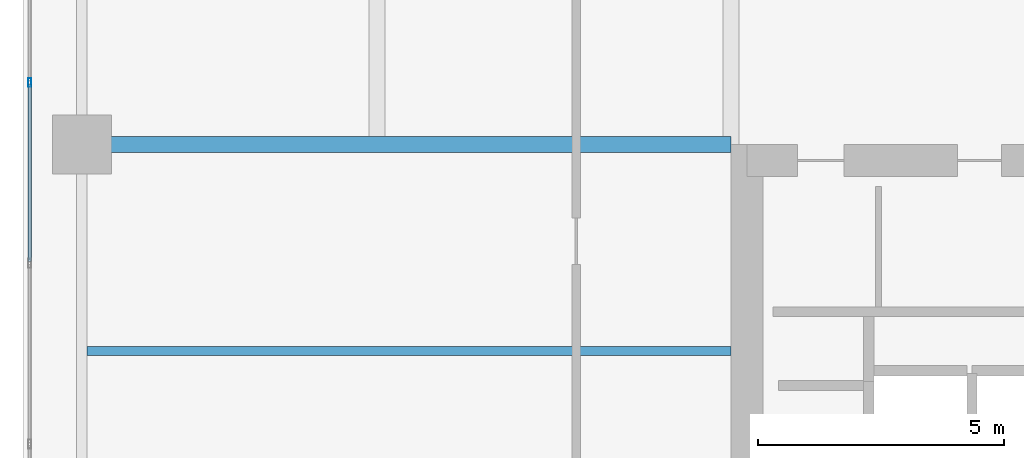
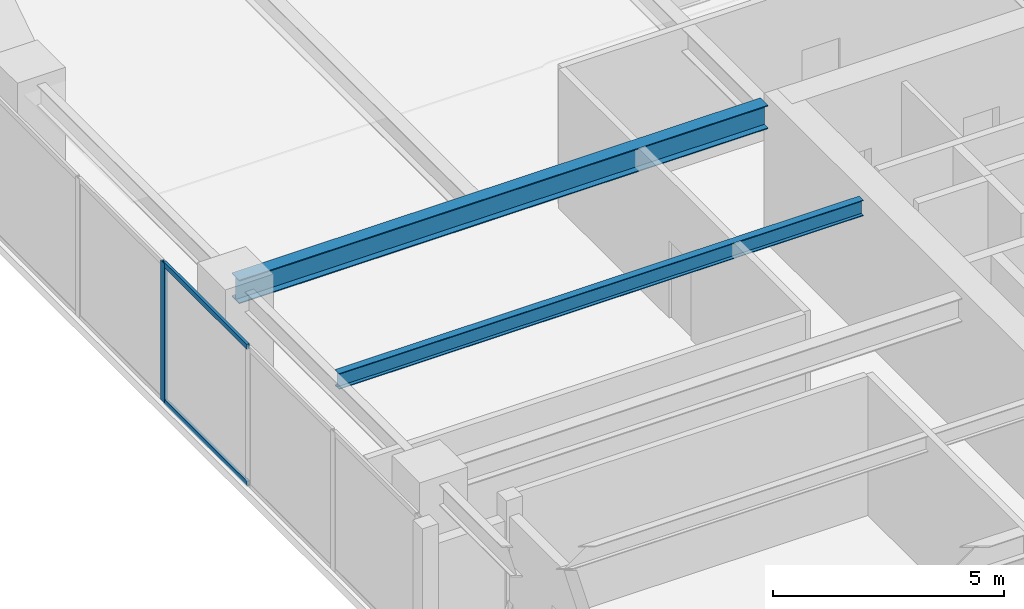
# One storey, part 6 of 30: 3 members, 2 beams, 1 element without a shape of its own.
"""IFC4 building model written with IfcOpenShell, lengths in metres."""

from ifc_helpers import new_model, si_unit, direction, frame, origin, origin_2d, place, context, subcontext, project, spatial, hollow_rectangle, i_section, extrude, material, layer, layer_set, material_profile, profile_set, type_object, element, aggregate, save


model = new_model("IFC4")

# Units and contexts
model_context = context("Model", 3, precision=1e-05, world=origin(), true_north=direction((0.0, 1.0)))
body_context = subcontext(model_context, "Body", "Model", "MODEL_VIEW")
ifc_project = project(units=[si_unit("LENGTHUNIT", "METRE"), si_unit("AREAUNIT", "SQUARE_METRE"), si_unit("VOLUMEUNIT", "CUBIC_METRE"), si_unit("PLANEANGLEUNIT", "RADIAN"), si_unit("MASSUNIT", "GRAM", prefix="KILO")], contexts=[model_context])

# Site, building, storey
site_placement = place(None, origin())
site = spatial("IfcSite", under=ifc_project, at=site_placement, CompositionType="ELEMENT")
building_placement = place(site_placement, origin())
building = spatial("IfcBuilding", under=site, at=building_placement, Name="Kiyonajd Concourse Tower", CompositionType="ELEMENT")
storey_placement = place(building_placement, frame((0.0, 0.0, 194.10009765625)))
storey = spatial("IfcBuildingStorey", under=building, at=storey_placement, Name="L49", CompositionType="ELEMENT", Elevation=194.10009765625)

# Beams
ifc_material_1 = material(Name="Steel ASTM A992 Grade 50", Category="steel")
ifc_material_profile_1 = material_profile(ifc_material_1, i_section(OverallWidth=0.180908203125, OverallDepth=0.4169921875, WebThickness=0.010986328125, FlangeThickness=0.018310546875, at=origin_2d()), Name="W410X85")
ifc_profile_set_1 = profile_set([ifc_material_profile_1], Name="Steel ASTM A992 Grade 50")
beam_type_1 = type_object("IfcBeamType", Name="BM-JST-410", PredefinedType="JOIST", material=ifc_profile_set_1)
beam_1_placement = place(storey_placement, frame((19.306884765625, 40.199951171875, 3.471435546875), z_axis=(1.0, 0.0, 0.0), x_axis=(0.0, 1.0, 0.0)))
element("IfcBeam", 1, at=beam_1_placement, inside=storey, type_object=beam_type_1, Name="L49 West Secondary Floor Joist", PredefinedType="JOIST", context=body_context, shape_type="SweptSolid", body=[
    extrude(i_section(OverallWidth=0.180908203125, OverallDepth=0.4169921875, WebThickness=0.010986328125, FlangeThickness=0.018310546875, at=origin_2d()), origin(), (0.0, 0.0, 1.0), 13.093017578125),
])
ifc_material_profile_2 = material_profile(ifc_material_1, i_section(OverallWidth=0.326904296875, OverallDepth=0.6220703125, WebThickness=0.015380859375, FlangeThickness=0.0244140625, at=origin_2d()), Name="W610X195")
ifc_profile_set_2 = profile_set([ifc_material_profile_2], Name="Steel ASTM A992 Grade 50")
beam_type_2 = type_object("IfcBeamType", Name="BM-TWR-610A", PredefinedType="BEAM", material=ifc_profile_set_2)
beam_2_placement = place(storey_placement, frame((19.199951171875, 44.39990234375, 3.368896484375), z_axis=(1.0, 0.0, 0.0), x_axis=(0.0, 1.0, 0.0)))
element("IfcBeam", 2, at=beam_2_placement, inside=storey, type_object=beam_type_2, Name="L49 West Lease Girder", PredefinedType="BEAM", context=body_context, shape_type="SweptSolid", body=[
    extrude(i_section(OverallWidth=0.326904296875, OverallDepth=0.6220703125, WebThickness=0.015380859375, FlangeThickness=0.0244140625, at=origin_2d()), origin(), (0.0, 0.0, 1.0), 13.199951171875),
])

# Curtain wall, members
ifc_material_2 = material(Name="Thermally Broken Anodised Aluminium", Category="aluminium")
ifc_layer = layer(ifc_material_2, 0.179931640625)
ifc_layer_set = layer_set([ifc_layer], Name="Thermally Broken Anodised Aluminium")
curtain_wall_type = type_object("IfcCurtainWallType", Name="CW-SYS-03", PredefinedType="NOTDEFINED", material=ifc_layer_set)
curtain_wall_placement = place(storey_placement, origin())
curtain_wall = element("IfcCurtainWall", 3, at=curtain_wall_placement, inside=storey, type_object=curtain_wall_type, Name="L49 Unitised Curtain Wall CW3", PredefinedType="NOTDEFINED")
ifc_material_profile_3 = material_profile(ifc_material_2, hollow_rectangle(XDim=0.06494140625, YDim=0.179931640625, WallThickness=0.00390625, at=origin_2d()), Name="MULL-65x180")
ifc_profile_set_3 = profile_set([ifc_material_profile_3], Name="Thermally Broken Anodised Aluminium")
member_type_1 = type_object("IfcMemberType", Name="MB-CW-MULL1", PredefinedType="MULLION", material=ifc_profile_set_3)
member_1_placement = place(storey_placement, frame((18.139892578125, 45.660888671875, 0.0), z_axis=(0.0, 0.0, 1.0), x_axis=(-1.0, 0.0, 0.0)))
member_1 = element("IfcMember", 4, at=member_1_placement, type_object=member_type_1, Name="CW3 mullion 4", PredefinedType="MULLION", context=body_context, shape_type="SweptSolid", body=[
    extrude(hollow_rectangle(XDim=0.06494140625, YDim=0.179931640625, WallThickness=0.00390625, at=origin_2d()), origin(), (0.0, 0.0, 1.0), 3.679931640625),
])
ifc_material_profile_4 = material_profile(ifc_material_2, hollow_rectangle(XDim=0.06494140625, YDim=0.139892578125, WallThickness=0.00390625, at=origin_2d()), Name="TRAN-65x140")
ifc_profile_set_4 = profile_set([ifc_material_profile_4], Name="Thermally Broken Anodised Aluminium")
member_type_2 = type_object("IfcMemberType", Name="MB-CW-TRAN1", PredefinedType="USERDEFINED", material=ifc_profile_set_4)
member_2_placement = place(storey_placement, frame((18.139892578125, 42.016357421875, 0.032470703125), z_axis=(0.0, 1.0, 0.0), x_axis=(-1.0, 0.0, 0.0)))
member_2 = element("IfcMember", 5, at=member_2_placement, type_object=member_type_2, Name="CW3 transom 3.1", ObjectType="TRANSOM", PredefinedType="USERDEFINED", context=body_context, shape_type="SweptSolid", body=[
    extrude(hollow_rectangle(XDim=0.06494140625, YDim=0.139892578125, WallThickness=0.00390625, at=origin_2d()), origin(), (0.0, 0.0, 1.0), 3.612060546875),
])
member_3_placement = place(storey_placement, frame((18.139892578125, 42.016357421875, 3.6474609375), z_axis=(0.0, 1.0, 0.0), x_axis=(-1.0, 0.0, 0.0)))
member_3 = element("IfcMember", 6, at=member_3_placement, type_object=member_type_2, Name="CW3 transom 3.2", ObjectType="TRANSOM", PredefinedType="USERDEFINED", context=body_context, shape_type="SweptSolid", body=[
    extrude(hollow_rectangle(XDim=0.06494140625, YDim=0.139892578125, WallThickness=0.00390625, at=origin_2d()), origin(), (0.0, 0.0, 1.0), 3.612060546875),
])
aggregate(curtain_wall, [member_1, member_2, member_3])

save(model, "model.ifc")
